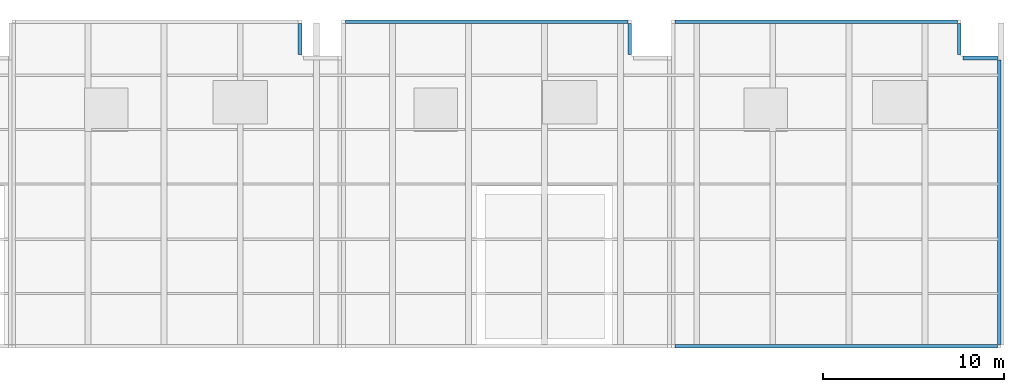
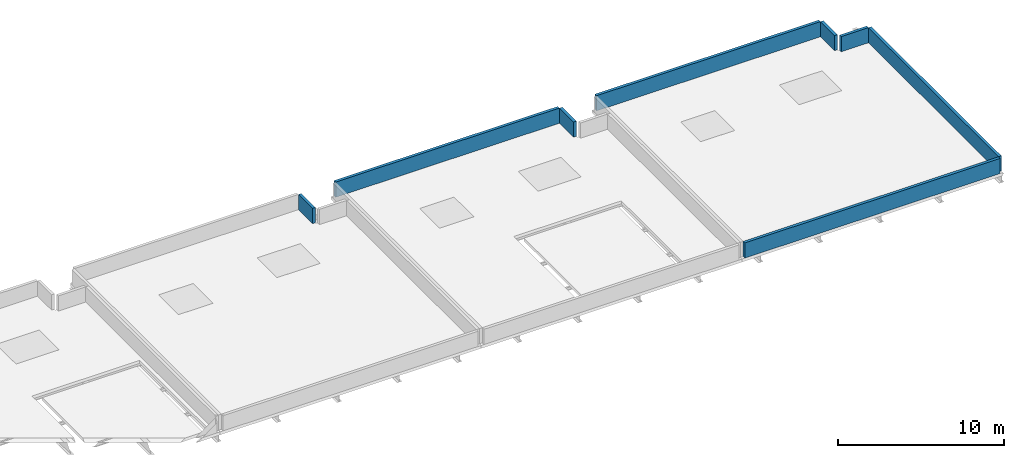
# One storey, part 3 of 3: 8 walls.
"""IFC4 building model written with IfcOpenShell, lengths in metres."""

from ifc_helpers import new_model, si_unit, direction, frame, frame_2d, origin, place, context, subcontext, project, spatial, rectangle, extrude, material, layer, layer_set, type_object, element, save


model = new_model("IFC4")

# Units and contexts
model_context = context("Model", 3, precision=1e-05, world=origin(), true_north=direction((0.0, 1.0)))
body_context = subcontext(model_context, "Body", "Model", "MODEL_VIEW")
ifc_project = project(units=[si_unit("LENGTHUNIT", "METRE"), si_unit("AREAUNIT", "SQUARE_METRE"), si_unit("VOLUMEUNIT", "CUBIC_METRE"), si_unit("PLANEANGLEUNIT", "RADIAN"), si_unit("MASSUNIT", "GRAM", prefix="KILO")], contexts=[model_context])

# Site, building, storey
site_placement = place(None, origin())
site = spatial("IfcSite", under=ifc_project, at=site_placement, CompositionType="ELEMENT")
building_placement = place(site_placement, origin())
building = spatial("IfcBuilding", under=site, at=building_placement, Name="Khurvash Pelagic Aquarium", CompositionType="ELEMENT")
storey_placement = place(building_placement, frame((0.0, 0.0, 30.0)))
storey = spatial("IfcBuildingStorey", under=building, at=storey_placement, Name="RF", CompositionType="ELEMENT", Elevation=30.0)

# Walls
ifc_material = material(Name="Precast concrete C40/50", Category="concrete")
ifc_layer = layer(ifc_material, 0.199951171875)
ifc_layer_set = layer_set([ifc_layer], Name="Precast concrete C40/50")
wall_type = type_object("IfcWallType", Name="PP-200", PredefinedType="PARAPET", material=ifc_layer_set)
wall_1_placement = place(storey_placement, frame((83.10009765625, 29.550048828125, 0.0), z_axis=(0.0, 0.0, 1.0), x_axis=(0.0, -1.0, 0.0)))
element("IfcWall", 1, at=wall_1_placement, inside=storey, type_object=wall_type, Name="RF Roof Perimeter Parapet Wall PP-200", PredefinedType="PARAPET", context=body_context, shape_type="SweptSolid", body=[
    extrude(rectangle(XDim=1.699951171875, YDim=0.199951171875, at=frame_2d((0.85009765625, 0.0))), origin(), (0.0, 0.0, 1.0), 1.1201171875),
])
wall_2_placement = place(storey_placement, frame((85.60009765625, 29.64990234375, 0.0), z_axis=(0.0, 0.0, 1.0), x_axis=(1.0, 0.0, 0.0)))
element("IfcWall", 2, at=wall_2_placement, inside=storey, type_object=wall_type, Name="RF Roof Perimeter Parapet Wall PP-200", PredefinedType="PARAPET", context=body_context, shape_type="SweptSolid", body=[
    extrude(rectangle(XDim=15.599853515625, YDim=0.199951171875, at=frame_2d((7.7998046875, 0.0))), origin(), (0.0, 0.0, 1.0), 1.1201171875),
])
wall_3_placement = place(storey_placement, frame((101.300048828125, 29.550048828125, 0.0), z_axis=(0.0, 0.0, 1.0), x_axis=(0.0, -1.0, 0.0)))
element("IfcWall", 3, at=wall_3_placement, inside=storey, type_object=wall_type, Name="RF Roof Perimeter Parapet Wall PP-200", PredefinedType="PARAPET", context=body_context, shape_type="SweptSolid", body=[
    extrude(rectangle(XDim=1.699951171875, YDim=0.199951171875, at=frame_2d((0.85009765625, 0.0))), origin(), (0.0, 0.0, 1.0), 1.1201171875),
])
wall_4_placement = place(storey_placement, frame((121.60009765625, 11.75, 0.0), z_axis=(0.0, 0.0, 1.0), x_axis=(-1.0, 0.0, 0.0)))
element("IfcWall", 4, at=wall_4_placement, inside=storey, type_object=wall_type, Name="RF Roof Perimeter Parapet Wall PP-200", PredefinedType="PARAPET", context=body_context, shape_type="SweptSolid", body=[
    extrude(rectangle(XDim=17.800048828125, YDim=0.199951171875, at=frame_2d((8.89990234375, 0.0))), origin(), (0.0, 0.0, 1.0), 1.1201171875),
])
wall_5_placement = place(storey_placement, frame((103.800048828125, 29.64990234375, 0.0), z_axis=(0.0, 0.0, 1.0), x_axis=(1.0, 0.0, 0.0)))
element("IfcWall", 5, at=wall_5_placement, inside=storey, type_object=wall_type, Name="RF Roof Perimeter Parapet Wall PP-200", PredefinedType="PARAPET", context=body_context, shape_type="SweptSolid", body=[
    extrude(rectangle(XDim=15.599853515625, YDim=0.199951171875, at=frame_2d((7.7998046875, 0.0))), origin(), (0.0, 0.0, 1.0), 1.1201171875),
])
wall_6_placement = place(storey_placement, frame((119.5, 29.550048828125, 0.0), z_axis=(0.0, 0.0, 1.0), x_axis=(0.0, -1.0, 0.0)))
element("IfcWall", 6, at=wall_6_placement, inside=storey, type_object=wall_type, Name="RF Roof Perimeter Parapet Wall PP-200", PredefinedType="PARAPET", context=body_context, shape_type="SweptSolid", body=[
    extrude(rectangle(XDim=1.699951171875, YDim=0.199951171875, at=frame_2d((0.85009765625, 0.0))), origin(), (0.0, 0.0, 1.0), 1.1201171875),
])
wall_7_placement = place(storey_placement, frame((119.699951171875, 27.64990234375, 0.0), z_axis=(0.0, 0.0, 1.0), x_axis=(1.0, 0.0, 0.0)))
element("IfcWall", 7, at=wall_7_placement, inside=storey, type_object=wall_type, Name="RF Roof Perimeter Parapet Wall PP-200", PredefinedType="PARAPET", context=body_context, shape_type="SweptSolid", body=[
    extrude(rectangle(XDim=1.900146484375, YDim=0.199951171875, at=frame_2d((0.9501953125, 0.0))), origin(), (0.0, 0.0, 1.0), 1.1201171875),
])
wall_8_placement = place(storey_placement, frame((121.699951171875, 27.550048828125, 0.0), z_axis=(0.0, 0.0, 1.0), x_axis=(0.0, -1.0, 0.0)))
element("IfcWall", 8, at=wall_8_placement, inside=storey, type_object=wall_type, Name="RF Roof Perimeter Parapet Wall PP-200", PredefinedType="PARAPET", context=body_context, shape_type="SweptSolid", body=[
    extrude(rectangle(XDim=15.699951171875, YDim=0.199951171875, at=frame_2d((7.85009765625, 0.0))), origin(), (0.0, 0.0, 1.0), 1.1201171875),
])

save(model, "model.ifc")
